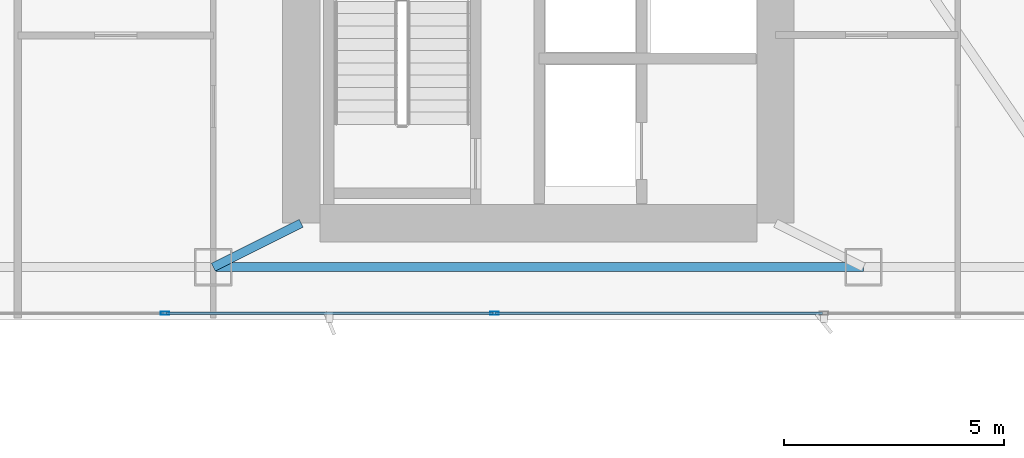
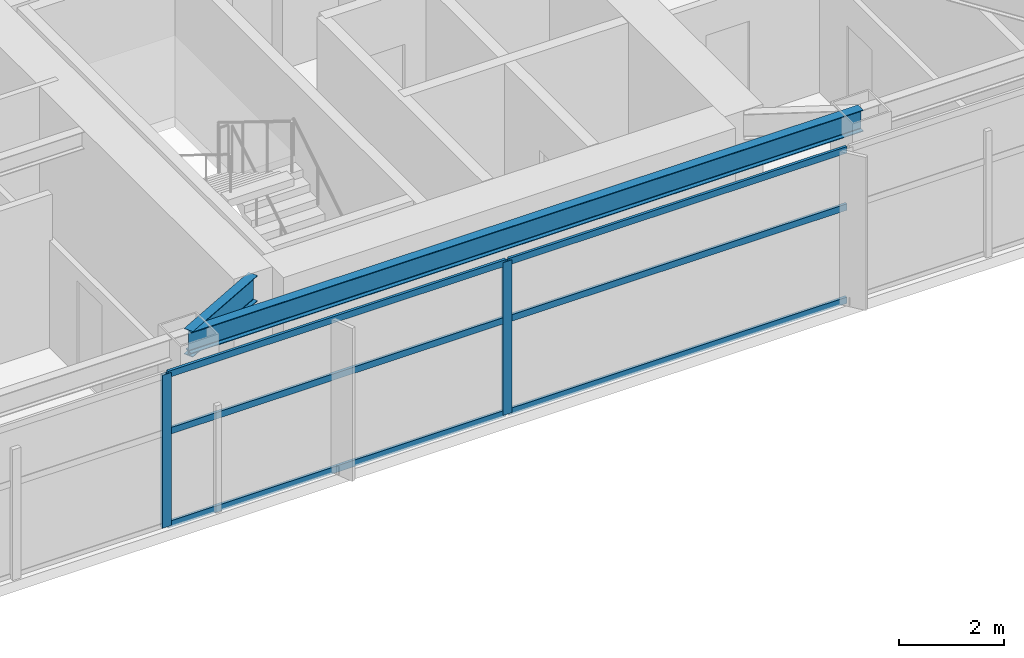
# One storey, part 6 of 28: 8 members, 2 beams, 1 element without a shape of its own.
"""IFC4 building model written with IfcOpenShell, lengths in metres."""

from ifc_helpers import new_model, si_unit, direction, frame, origin, origin_2d, place, context, subcontext, project, spatial, hollow_rectangle, i_section, extrude, material, layer, layer_set, material_profile, profile_set, type_object, element, aggregate, save


model = new_model("IFC4")

# Units and contexts
model_context = context("Model", 3, precision=1e-05, world=origin(), true_north=direction((0.0, 1.0)))
body_context = subcontext(model_context, "Body", "Model", "MODEL_VIEW")
ifc_project = project(units=[si_unit("LENGTHUNIT", "METRE"), si_unit("AREAUNIT", "SQUARE_METRE"), si_unit("VOLUMEUNIT", "CUBIC_METRE"), si_unit("PLANEANGLEUNIT", "RADIAN"), si_unit("MASSUNIT", "GRAM", prefix="KILO")], contexts=[model_context])

# Site, building, storey
site_placement = place(None, origin())
site = spatial("IfcSite", under=ifc_project, at=site_placement, CompositionType="ELEMENT")
building_placement = place(site_placement, origin())
building = spatial("IfcBuilding", under=site, at=building_placement, Name="Calvorn Quay Hotel", CompositionType="ELEMENT")
storey_placement = place(building_placement, frame((0.0, 0.0, 178.89990234375)))
storey = spatial("IfcBuildingStorey", under=building, at=storey_placement, Name="L44", CompositionType="ELEMENT", Elevation=178.89990234375)

# Beams
ifc_material_1 = material(Name="Steel Q355B", Category="steel")
ifc_material_profile_1 = material_profile(ifc_material_1, i_section(OverallWidth=0.199951171875, OverallDepth=0.60009765625, WebThickness=0.010986328125, FlangeThickness=0.01708984375, FilletRadius=0.01806640625, at=origin_2d()), Name="HN600x200x11x17")
ifc_profile_set_1 = profile_set([ifc_material_profile_1], Name="Steel Q355B")
beam_type_1 = type_object("IfcBeamType", Name="BM-GIRD-TYP", PredefinedType="BEAM", material=ifc_profile_set_1)
beam_1_placement = place(storey_placement, frame((19.60009765625, 3.60009765625, 3.239990234375), z_axis=(0.894427191, 0.4472135955, 0.0), x_axis=(-0.4472135955, 0.894427191, 0.0)))
element("IfcBeam", 1, at=beam_1_placement, inside=storey, type_object=beam_type_1, Name="Beam BG-L44-S2", PredefinedType="BEAM", context=body_context, shape_type="SweptSolid", body=[
    extrude(i_section(OverallWidth=0.199951171875, OverallDepth=0.60009765625, WebThickness=0.010986328125, FlangeThickness=0.01708984375, FilletRadius=0.01806640625, at=origin_2d()), origin(), (0.0, 0.0, 1.0), 2.236083984375),
])
ifc_material_2 = material(Name="Steel Q355B", Category="steel")
ifc_material_profile_2 = material_profile(ifc_material_2, i_section(OverallWidth=0.199951171875, OverallDepth=0.5, WebThickness=0.010009765625, FlangeThickness=0.01611328125, FilletRadius=0.01611328125, at=origin_2d()), Name="HN500x200x10x16")
ifc_profile_set_2 = profile_set([ifc_material_profile_2], Name="Steel Q355B")
beam_type_2 = type_object("IfcBeamType", Name="BM-SPANDREL-Z1", PredefinedType="SPANDREL", material=ifc_profile_set_2)
beam_2_placement = place(storey_placement, frame((19.60009765625, 3.60009765625, 3.2900390625), z_axis=(1.0, 0.0, 0.0), x_axis=(0.0, 1.0, 0.0)))
element("IfcBeam", 2, at=beam_2_placement, inside=storey, type_object=beam_type_2, Name="Beam BSP-L44-S3", PredefinedType="SPANDREL", context=body_context, shape_type="SweptSolid", body=[
    extrude(i_section(OverallWidth=0.199951171875, OverallDepth=0.5, WebThickness=0.010009765625, FlangeThickness=0.01611328125, FilletRadius=0.01611328125, at=origin_2d()), origin(), (0.0, 0.0, 1.0), 14.7998046875),
])

# Curtain wall, members
ifc_material_3 = material(Name="Pale Anodised Aluminium and Low-E Glass", Category="aluminium")
ifc_layer = layer(ifc_material_3, 0.219970703125)
ifc_layer_set = layer_set([ifc_layer], Name="CW-SYS-Z2")
curtain_wall_type = type_object("IfcCurtainWallType", Name="CW-SYS-Z2", PredefinedType="NOTDEFINED", material=ifc_layer_set)
curtain_wall_placement = place(storey_placement, origin())
curtain_wall = element("IfcCurtainWall", 3, at=curtain_wall_placement, inside=storey, type_object=curtain_wall_type, Name="Tower South Waterfront Curtain Wall (L44)", PredefinedType="NOTDEFINED")
ifc_material_4 = material(Name="Pale Anodised Aluminium 6063-T6", Category="aluminium")
ifc_material_profile_3 = material_profile(ifc_material_4, hollow_rectangle(XDim=0.070068359375, YDim=0.199951171875, WallThickness=0.00390625, at=origin_2d()), Name="ALU-M200x70x4")
ifc_profile_set_3 = profile_set([ifc_material_profile_3], Name="Pale Anodised Aluminium 6063-T6")
member_type_1 = type_object("IfcMemberType", Name="CW-SYS-Z2-MUL", PredefinedType="MULLION", material=ifc_profile_set_3)
member_1_placement = place(storey_placement, frame((18.5, 2.550048828125, 0.0), z_axis=(0.0, 0.0, 1.0), x_axis=(0.0, 1.0, 0.0)))
member_1 = element("IfcMember", 4, at=member_1_placement, type_object=member_type_1, Name="CW-L44-S mullion 2", PredefinedType="MULLION", context=body_context, shape_type="SweptSolid", body=[
    extrude(hollow_rectangle(XDim=0.070068359375, YDim=0.199951171875, WallThickness=0.00390625, at=origin_2d()), origin(), (0.0, 0.0, 1.0), 3.56005859375),
])
member_2_placement = place(storey_placement, frame((26.0, 2.550048828125, 0.0), z_axis=(0.0, 0.0, 1.0), x_axis=(0.0, 1.0, 0.0)))
member_2 = element("IfcMember", 5, at=member_2_placement, type_object=member_type_1, Name="CW-L44-S mullion 3", PredefinedType="MULLION", context=body_context, shape_type="SweptSolid", body=[
    extrude(hollow_rectangle(XDim=0.070068359375, YDim=0.199951171875, WallThickness=0.00390625, at=origin_2d()), origin(), (0.0, 0.0, 1.0), 3.56005859375),
])
ifc_material_5 = material(Name="Pale Anodised Aluminium 6063-T6", Category="aluminium")
ifc_material_profile_4 = material_profile(ifc_material_5, hollow_rectangle(XDim=0.06005859375, YDim=0.14990234375, WallThickness=0.00341796875, at=origin_2d()), Name="ALU-T150x60x3.5")
ifc_profile_set_4 = profile_set([ifc_material_profile_4], Name="Pale Anodised Aluminium 6063-T6")
member_type_2 = type_object("IfcMemberType", Name="CW-SYS-Z2-TRN", PredefinedType="USERDEFINED", material=ifc_profile_set_4)
member_3_placement = place(storey_placement, frame((18.530029296875, 2.550048828125, 0.030029296875), z_axis=(1.0, 0.0, 0.0), x_axis=(0.0, 1.0, 0.0)))
member_3 = element("IfcMember", 6, at=member_3_placement, type_object=member_type_2, Name="CW-L44-S transom 2.1", ObjectType="TRANSOM", PredefinedType="USERDEFINED", context=body_context, shape_type="SweptSolid", body=[
    extrude(hollow_rectangle(XDim=0.06005859375, YDim=0.14990234375, WallThickness=0.00341796875, at=origin_2d()), origin(), (0.0, 0.0, 1.0), 7.43994140625),
])
member_4_placement = place(storey_placement, frame((18.530029296875, 2.550048828125, 2.2001953125), z_axis=(1.0, 0.0, 0.0), x_axis=(0.0, 1.0, 0.0)))
member_4 = element("IfcMember", 7, at=member_4_placement, type_object=member_type_2, Name="CW-L44-S transom 2.2", ObjectType="TRANSOM", PredefinedType="USERDEFINED", context=body_context, shape_type="SweptSolid", body=[
    extrude(hollow_rectangle(XDim=0.06005859375, YDim=0.14990234375, WallThickness=0.00341796875, at=origin_2d()), origin(), (0.0, 0.0, 1.0), 7.43994140625),
])
member_5_placement = place(storey_placement, frame((18.530029296875, 2.550048828125, 3.530029296875), z_axis=(1.0, 0.0, 0.0), x_axis=(0.0, 1.0, 0.0)))
member_5 = element("IfcMember", 8, at=member_5_placement, type_object=member_type_2, Name="CW-L44-S transom 2.3", ObjectType="TRANSOM", PredefinedType="USERDEFINED", context=body_context, shape_type="SweptSolid", body=[
    extrude(hollow_rectangle(XDim=0.06005859375, YDim=0.14990234375, WallThickness=0.00341796875, at=origin_2d()), origin(), (0.0, 0.0, 1.0), 7.43994140625),
])
member_6_placement = place(storey_placement, frame((26.030029296875, 2.550048828125, 0.030029296875), z_axis=(1.0, 0.0, 0.0), x_axis=(0.0, 1.0, 0.0)))
member_6 = element("IfcMember", 9, at=member_6_placement, type_object=member_type_2, Name="CW-L44-S transom 3.1", ObjectType="TRANSOM", PredefinedType="USERDEFINED", context=body_context, shape_type="SweptSolid", body=[
    extrude(hollow_rectangle(XDim=0.06005859375, YDim=0.14990234375, WallThickness=0.00341796875, at=origin_2d()), origin(), (0.0, 0.0, 1.0), 7.43994140625),
])
member_7_placement = place(storey_placement, frame((26.030029296875, 2.550048828125, 2.2001953125), z_axis=(1.0, 0.0, 0.0), x_axis=(0.0, 1.0, 0.0)))
member_7 = element("IfcMember", 10, at=member_7_placement, type_object=member_type_2, Name="CW-L44-S transom 3.2", ObjectType="TRANSOM", PredefinedType="USERDEFINED", context=body_context, shape_type="SweptSolid", body=[
    extrude(hollow_rectangle(XDim=0.06005859375, YDim=0.14990234375, WallThickness=0.00341796875, at=origin_2d()), origin(), (0.0, 0.0, 1.0), 7.43994140625),
])
member_8_placement = place(storey_placement, frame((26.030029296875, 2.550048828125, 3.530029296875), z_axis=(1.0, 0.0, 0.0), x_axis=(0.0, 1.0, 0.0)))
member_8 = element("IfcMember", 11, at=member_8_placement, type_object=member_type_2, Name="CW-L44-S transom 3.3", ObjectType="TRANSOM", PredefinedType="USERDEFINED", context=body_context, shape_type="SweptSolid", body=[
    extrude(hollow_rectangle(XDim=0.06005859375, YDim=0.14990234375, WallThickness=0.00341796875, at=origin_2d()), origin(), (0.0, 0.0, 1.0), 7.43994140625),
])
aggregate(curtain_wall, [member_1, member_2, member_3, member_4, member_5, member_6, member_7, member_8])

save(model, "model.ifc")
